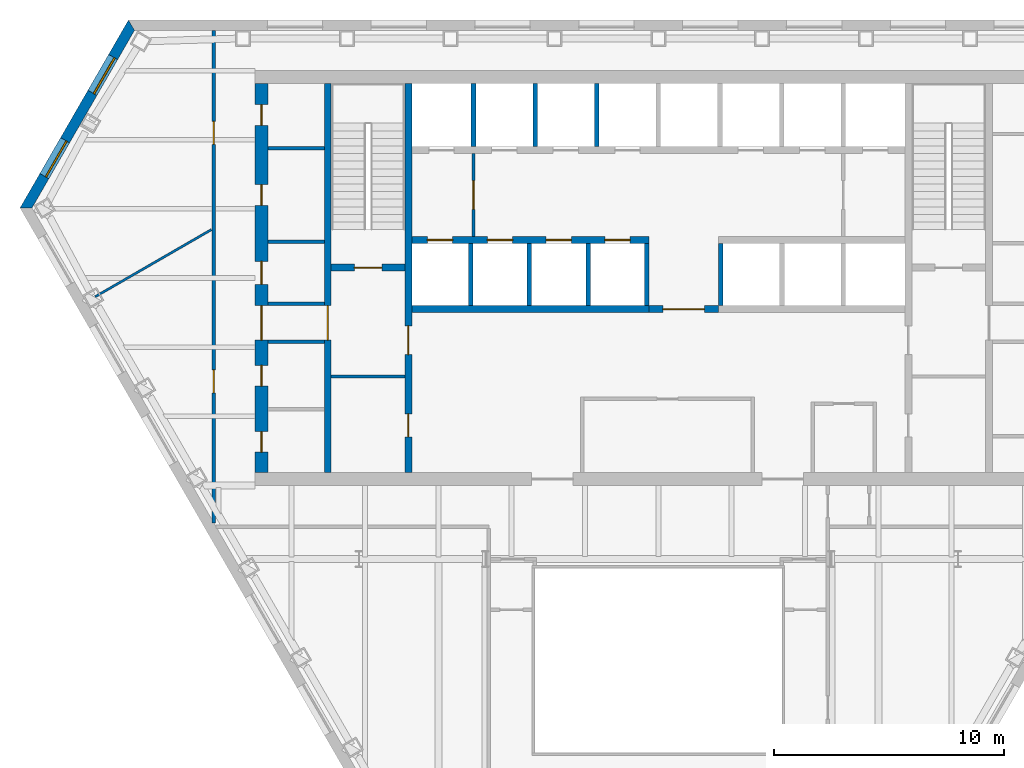
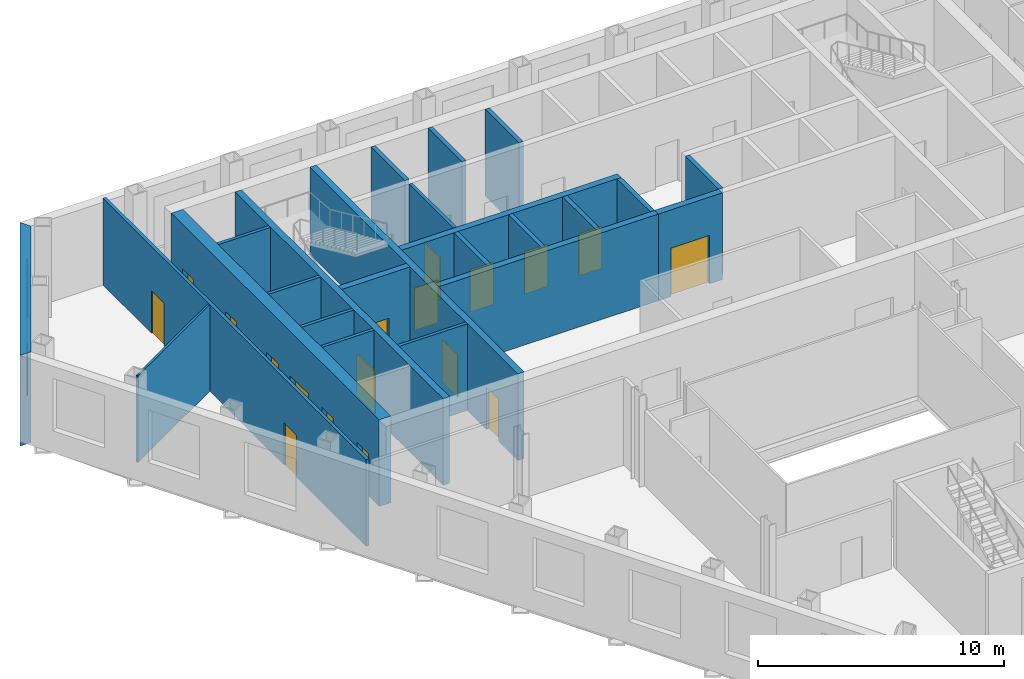
# One storey, part 6 of 11: 24 walls, 18 doors, 2 windows, 20 openings.
"""IFC4 building model written with IfcOpenShell, lengths in metres."""

from ifc_helpers import new_model, si_unit, direction, frame, frame_2d, origin, place, context, subcontext, project, spatial, polyline, rectangle, outline, extrude, material, layer, layer_set, type_object, element, fill, save


model = new_model("IFC4")

# Units and contexts
model_context = context("Model", 3, precision=1e-05, world=origin(), true_north=direction((0.0, 1.0)))
body_context = subcontext(model_context, "Body", "Model", "MODEL_VIEW")
ifc_project = project(units=[si_unit("LENGTHUNIT", "METRE"), si_unit("AREAUNIT", "SQUARE_METRE"), si_unit("VOLUMEUNIT", "CUBIC_METRE"), si_unit("PLANEANGLEUNIT", "RADIAN"), si_unit("MASSUNIT", "GRAM", prefix="KILO")], contexts=[model_context])

# Site, building, storey
site_placement = place(None, origin())
site = spatial("IfcSite", under=ifc_project, at=site_placement, CompositionType="ELEMENT")
building_placement = place(site_placement, origin())
building = spatial("IfcBuilding", under=site, at=building_placement, Name="Njiva Tower", CompositionType="ELEMENT")
storey_placement = place(building_placement, frame((0.0, 0.0, 124.8)))
storey = spatial("IfcBuildingStorey", under=building, at=storey_placement, Name="L26", CompositionType="ELEMENT", Elevation=124.8)

# Walls
ifc_material_1 = material(Name="Blockwork", Category="masonry")
ifc_layer_1 = layer(ifc_material_1, 0.15)
ifc_layer_set_1 = layer_set([ifc_layer_1], Name="Blockwork")
wall_type_1 = type_object("IfcWallType", Name="WT1 Compartment partition 150", PredefinedType="PARTITIONING", material=ifc_layer_set_1)
wall_1_placement = place(storey_placement, frame((-14.2, 4.725, 0.0), z_axis=(0.0, 0.0, 1.0), x_axis=(1.0, 0.0, 0.0)))
element("IfcWall", 1, at=wall_1_placement, inside=storey, type_object=wall_type_1, Name="Room wall A", PredefinedType="PARTITIONING", context=body_context, shape_type="SweptSolid", body=[
    extrude(rectangle(XDim=3.2, YDim=0.15, at=frame_2d((1.6, 0.0))), origin(), (0.0, 0.0, 1.0), 4.3),
])
wall_2_placement = place(storey_placement, frame((-16.95, 10.5697, 0.0), z_axis=(0.0, 0.0, 1.0), x_axis=(1.0, 0.0, 0.0)))
element("IfcWall", 2, at=wall_2_placement, inside=storey, type_object=wall_type_1, Name="Partition strip W10", PredefinedType="PARTITIONING", context=body_context, shape_type="SweptSolid", body=[
    extrude(rectangle(XDim=2.45, YDim=0.15, at=frame_2d((1.225, 0.0))), origin(), (0.0, 0.0, 1.0), 4.3),
])

# Wall, openings, doors
ifc_material_2 = material(Name="Concrete C40/50", Category="concrete")
ifc_layer_2 = layer(ifc_material_2, 0.3)
ifc_layer_set_2 = layer_set([ifc_layer_2], Name="Concrete C40/50")
wall_type_2 = type_object("IfcWallType", Name="WT10 Stair enclosure wall 300", PredefinedType="SHEAR", material=ifc_layer_set_2)
wall_3_placement = place(storey_placement, frame((-10.85, 0.55, 0.0), z_axis=(0.0, 0.0, 1.0), x_axis=(0.0, 1.0, 0.0)))
wall_3 = element("IfcWall", 3, at=wall_3_placement, inside=storey, type_object=wall_type_2, Name="Stair wall west inner", PredefinedType="SHEAR", context=body_context, shape_type="SweptSolid", body=[
    extrude(rectangle(XDim=16.9, YDim=0.3, at=frame_2d((8.45, 0.0))), origin(), (0.0, 0.0, 1.0), 4.3),
])
opening_1_placement = place(wall_3_placement, frame((5.125, 0.0, 0.0)))
opening_1 = element("IfcOpeningElement", 4, at=opening_1_placement, cuts=wall_3, Name="Opening S09-D914", PredefinedType="OPENING", context=body_context, shape_type="SweptSolid", body=[
    extrude(rectangle(XDim=1.25, YDim=2.1, at=frame_2d((0.625, 1.05))), frame((0.0, 0.16, 0.0), z_axis=(0.0, -1.0, 0.0), x_axis=(1.0, 0.0, 0.0)), (0.0, 0.0, 1.0), 0.32),
])
opening_2_placement = place(wall_3_placement, frame((1.55, 0.0, 0.0)))
opening_2 = element("IfcOpeningElement", 5, at=opening_2_placement, cuts=wall_3, Name="Opening S09-D915", PredefinedType="OPENING", context=body_context, shape_type="SweptSolid", body=[
    extrude(rectangle(XDim=1.0, YDim=2.1, at=frame_2d((0.5, 1.05))), frame((0.0, 0.16, 0.0), z_axis=(0.0, -1.0, 0.0), x_axis=(1.0, 0.0, 0.0)), (0.0, 0.0, 1.0), 0.32),
])
ifc_material_3 = material(Name="Steel door, painted", Category="steel")
door_type_1 = type_object("IfcDoorType", Name="D5 Steel door 1000x2100", OperationType="SINGLE_SWING_LEFT", PredefinedType="DOOR", material=ifc_material_3)
door_1_placement = place(opening_2_placement, origin())
door_1 = element("IfcDoor", 6, at=door_1_placement, inside=storey, type_object=door_type_1, Name="Breakout room door", OperationType="SINGLE_SWING_RIGHT", OverallHeight=2.1, OverallWidth=1.0, PredefinedType="DOOR", context=body_context, shape_type="SweptSolid", body=[
    extrude(rectangle(XDim=1.0, YDim=2.1, at=frame_2d((0.5, 1.05))), frame((0.0, 0.025, 0.0), z_axis=(0.0, -1.0, 0.0), x_axis=(1.0, 0.0, 0.0)), (0.0, 0.0, 1.0), 0.05),
])
fill(opening_2, door_1)
ifc_material_4 = material(Name="Glazed steel fire door", Category="steel")
door_type_2 = type_object("IfcDoorType", Name="D8 Vestibule corridor door 1250x2100 glazed", OperationType="SINGLE_SWING_LEFT", PredefinedType="DOOR", material=ifc_material_4)
door_2_placement = place(opening_1_placement, origin())
door_2 = element("IfcDoor", 7, at=door_2_placement, inside=storey, type_object=door_type_2, Name="Stair vestibule corridor door", OperationType="SINGLE_SWING_LEFT", OverallHeight=2.1, OverallWidth=1.25, PredefinedType="DOOR", context=body_context, shape_type="SweptSolid", body=[
    extrude(rectangle(XDim=1.25, YDim=2.1, at=frame_2d((0.625, 1.05))), frame((0.0, 0.025, 0.0), z_axis=(0.0, -1.0, 0.0), x_axis=(1.0, 0.0, 0.0)), (0.0, 0.0, 1.0), 0.05),
])
fill(opening_1, door_2)

# Wall, opening, door
wall_4_placement = place(storey_placement, frame((-14.35, 0.55, 0.0), z_axis=(0.0, 0.0, 1.0), x_axis=(0.0, 1.0, 0.0)))
wall_4 = element("IfcWall", 8, at=wall_4_placement, inside=storey, type_object=wall_type_2, Name="Stair wall west outer", PredefinedType="SHEAR", context=body_context, shape_type="SweptSolid", body=[
    extrude(rectangle(XDim=16.9, YDim=0.3, at=frame_2d((8.45, 0.0))), origin(), (0.0, 0.0, 1.0), 4.3),
])
opening_3_placement = place(wall_4_placement, frame((5.75, 0.0, 0.0)))
opening_3 = element("IfcOpeningElement", 9, at=opening_3_placement, cuts=wall_4, Name="Opening S09-D920", PredefinedType="OPENING", context=body_context, shape_type="SweptSolid", body=[
    extrude(rectangle(XDim=1.5, YDim=2.1, at=frame_2d((0.75, 1.05))), frame((0.0, 0.16, 0.0), z_axis=(0.0, -1.0, 0.0), x_axis=(1.0, 0.0, 0.0)), (0.0, 0.0, 1.0), 0.32),
])
door_type_3 = type_object("IfcDoorType", Name="D10 Exit door double 1500x2100 glazed", OperationType="DOUBLE_DOOR_SINGLE_SWING", PredefinedType="DOOR", material=ifc_material_4)
door_3_placement = place(opening_3_placement, origin())
door_3 = element("IfcDoor", 10, at=door_3_placement, inside=storey, type_object=door_type_3, Name="Stair A passage door", OperationType="DOUBLE_DOOR_SINGLE_SWING", OverallHeight=2.1, OverallWidth=1.5, PredefinedType="DOOR", context=body_context, shape_type="SweptSolid", body=[
    extrude(rectangle(XDim=1.5, YDim=2.1, at=frame_2d((0.75, 1.05))), frame((0.0, 0.025, 0.0), z_axis=(0.0, -1.0, 0.0), x_axis=(1.0, 0.0, 0.0)), (0.0, 0.0, 1.0), 0.05),
])
fill(opening_3, door_3)

wall_5_placement = place(storey_placement, frame((-14.2, 9.45, 0.0), z_axis=(0.0, 0.0, 1.0), x_axis=(1.0, 0.0, 0.0)))
wall_5 = element("IfcWall", 11, at=wall_5_placement, inside=storey, type_object=wall_type_2, Name="Stair A south wall", PredefinedType="SHEAR", context=body_context, shape_type="SweptSolid", body=[
    extrude(rectangle(XDim=3.2, YDim=0.3, at=frame_2d((1.6, 0.0))), origin(), (0.0, 0.0, 1.0), 4.3),
])
opening_4_placement = place(wall_5_placement, frame((1.0, 0.0, 0.0)))
opening_4 = element("IfcOpeningElement", 12, at=opening_4_placement, cuts=wall_5, Name="Opening S09-D913", PredefinedType="OPENING", context=body_context, shape_type="SweptSolid", body=[
    extrude(rectangle(XDim=1.2, YDim=2.1, at=frame_2d((0.6, 1.05))), frame((0.0, 0.16, 0.0), z_axis=(0.0, -1.0, 0.0), x_axis=(1.0, 0.0, 0.0)), (0.0, 0.0, 1.0), 0.32),
])
door_type_4 = type_object("IfcDoorType", Name="D7 Stair vestibule door 1200x2100 glazed", OperationType="SINGLE_SWING_LEFT", PredefinedType="DOOR", material=ifc_material_4)
door_4_placement = place(opening_4_placement, origin())
door_4 = element("IfcDoor", 13, at=door_4_placement, inside=storey, type_object=door_type_4, Name="Stair A door", OperationType="SINGLE_SWING_LEFT", OverallHeight=2.1, OverallWidth=1.2, PredefinedType="DOOR", context=body_context, shape_type="SweptSolid", body=[
    extrude(rectangle(XDim=1.2, YDim=2.1, at=frame_2d((0.6, 1.05))), frame((0.0, 0.025, 0.0), z_axis=(0.0, -1.0, 0.0), x_axis=(1.0, 0.0, 0.0)), (0.0, 0.0, 1.0), 0.05),
])
fill(opening_4, door_4)

# Wall, openings, doors
ifc_material_5 = material(Name="Concrete C60/75", Category="concrete")
ifc_layer_3 = layer(ifc_material_5, 0.55)
ifc_layer_set_3 = layer_set([ifc_layer_3], Name="Concrete C60/75")
wall_type_3 = type_object("IfcWallType", Name="WT14 Core wall 550", PredefinedType="SHEAR", material=ifc_layer_set_3)
wall_6_placement = place(storey_placement, frame((-17.225, 0.55, 0.0), z_axis=(0.0, 0.0, 1.0), x_axis=(0.0, 1.0, 0.0)))
wall_6 = element("IfcWall", 14, at=wall_6_placement, inside=storey, type_object=wall_type_3, Name="Core wall west", PredefinedType="SHEAR", context=body_context, shape_type="SweptSolid", body=[
    extrude(rectangle(XDim=16.9, YDim=0.55, at=frame_2d((8.45, 0.0))), origin(), (0.0, 0.0, 1.0), 4.3),
])
opening_5_placement = place(wall_6_placement, frame((5.75, 0.0, 0.0)))
opening_5 = element("IfcOpeningElement", 15, at=opening_5_placement, cuts=wall_6, Name="Opening S09-D921", PredefinedType="OPENING", context=body_context, shape_type="SweptSolid", body=[
    extrude(rectangle(XDim=1.5, YDim=2.1, at=frame_2d((0.75, 1.05))), frame((0.0, 0.285, 0.0), z_axis=(0.0, -1.0, 0.0), x_axis=(1.0, 0.0, 0.0)), (0.0, 0.0, 1.0), 0.57),
])
opening_6_placement = place(wall_6_placement, frame((0.8868, 0.0, 0.0)))
opening_6 = element("IfcOpeningElement", 16, at=opening_6_placement, cuts=wall_6, Name="Opening S09-D922", PredefinedType="OPENING", context=body_context, shape_type="SweptSolid", body=[
    extrude(rectangle(XDim=0.9, YDim=2.1, at=frame_2d((0.45, 1.05))), frame((0.0, 0.285, 0.0), z_axis=(0.0, -1.0, 0.0), x_axis=(1.0, 0.0, 0.0)), (0.0, 0.0, 1.0), 0.57),
])
opening_7_placement = place(wall_6_placement, frame((3.7618, 0.0, 0.0)))
opening_7 = element("IfcOpeningElement", 17, at=opening_7_placement, cuts=wall_6, Name="Opening S09-D923", PredefinedType="OPENING", context=body_context, shape_type="SweptSolid", body=[
    extrude(rectangle(XDim=0.9, YDim=2.1, at=frame_2d((0.45, 1.05))), frame((0.0, 0.285, 0.0), z_axis=(0.0, -1.0, 0.0), x_axis=(1.0, 0.0, 0.0)), (0.0, 0.0, 1.0), 0.57),
])
opening_8_placement = place(wall_6_placement, frame((8.1723, 0.0, 0.0)))
opening_8 = element("IfcOpeningElement", 18, at=opening_8_placement, cuts=wall_6, Name="Opening S09-D924", PredefinedType="OPENING", context=body_context, shape_type="SweptSolid", body=[
    extrude(rectangle(XDim=1.0, YDim=2.1, at=frame_2d((0.5, 1.05))), frame((0.0, 0.285, 0.0), z_axis=(0.0, -1.0, 0.0), x_axis=(1.0, 0.0, 0.0)), (0.0, 0.0, 1.0), 0.57),
])
opening_9_placement = place(wall_6_placement, frame((11.6021, 0.0, 0.0)))
opening_9 = element("IfcOpeningElement", 19, at=opening_9_placement, cuts=wall_6, Name="Opening S09-D925", PredefinedType="OPENING", context=body_context, shape_type="SweptSolid", body=[
    extrude(rectangle(XDim=0.9, YDim=2.1, at=frame_2d((0.45, 1.05))), frame((0.0, 0.285, 0.0), z_axis=(0.0, -1.0, 0.0), x_axis=(1.0, 0.0, 0.0)), (0.0, 0.0, 1.0), 0.57),
])
opening_10_placement = place(wall_6_placement, frame((15.0798, 0.0, 0.0)))
opening_10 = element("IfcOpeningElement", 20, at=opening_10_placement, cuts=wall_6, Name="Opening S09-D926", PredefinedType="OPENING", context=body_context, shape_type="SweptSolid", body=[
    extrude(rectangle(XDim=0.9, YDim=2.1, at=frame_2d((0.45, 1.05))), frame((0.0, 0.285, 0.0), z_axis=(0.0, -1.0, 0.0), x_axis=(1.0, 0.0, 0.0)), (0.0, 0.0, 1.0), 0.57),
])
door_5_placement = place(opening_5_placement, origin())
door_5 = element("IfcDoor", 21, at=door_5_placement, inside=storey, type_object=door_type_3, Name="Stair A corridor door", OperationType="DOUBLE_DOOR_SINGLE_SWING", OverallHeight=2.1, OverallWidth=1.5, PredefinedType="DOOR", context=body_context, shape_type="SweptSolid", body=[
    extrude(rectangle(XDim=1.5, YDim=2.1, at=frame_2d((0.75, 1.05))), frame((0.0, 0.025, 0.0), z_axis=(0.0, -1.0, 0.0), x_axis=(1.0, 0.0, 0.0)), (0.0, 0.0, 1.0), 0.05),
])
fill(opening_5, door_5)
door_type_5 = type_object("IfcDoorType", Name="D4 Riser door 900x2100", OperationType="SINGLE_SWING_LEFT", PredefinedType="DOOR", material=ifc_material_3)
door_6_placement = place(opening_10_placement, origin())
door_6 = element("IfcDoor", 22, at=door_6_placement, inside=storey, type_object=door_type_5, Name="Riser door", OperationType="SINGLE_SWING_LEFT", OverallHeight=2.1, OverallWidth=0.9, PredefinedType="DOOR", context=body_context, shape_type="SweptSolid", body=[
    extrude(rectangle(XDim=0.9, YDim=2.1, at=frame_2d((0.45, 1.05))), frame((0.0, 0.025, 0.0), z_axis=(0.0, -1.0, 0.0), x_axis=(1.0, 0.0, 0.0)), (0.0, 0.0, 1.0), 0.05),
])
fill(opening_10, door_6)
door_7_placement = place(opening_8_placement, origin())
door_7 = element("IfcDoor", 23, at=door_7_placement, inside=storey, type_object=door_type_1, Name="Telecoms room door", OperationType="SINGLE_SWING_RIGHT", OverallHeight=2.1, OverallWidth=1.0, PredefinedType="DOOR", context=body_context, shape_type="SweptSolid", body=[
    extrude(rectangle(XDim=1.0, YDim=2.1, at=frame_2d((0.5, 1.05))), frame((0.0, 0.025, 0.0), z_axis=(0.0, -1.0, 0.0), x_axis=(1.0, 0.0, 0.0)), (0.0, 0.0, 1.0), 0.05),
])
fill(opening_8, door_7)
ifc_material_6 = material(Name="Steel fire door, painted", Category="steel")
door_type_6 = type_object("IfcDoorType", Name="D6 Fire-rated door 900x2100", OperationType="SINGLE_SWING_LEFT", PredefinedType="DOOR", material=ifc_material_6)
door_8_placement = place(opening_6_placement, origin())
door_8 = element("IfcDoor", 24, at=door_8_placement, inside=storey, type_object=door_type_6, Name="Meeting room door", OperationType="SINGLE_SWING_LEFT", OverallHeight=2.1, OverallWidth=0.9, PredefinedType="DOOR", context=body_context, shape_type="SweptSolid", body=[
    extrude(rectangle(XDim=0.9, YDim=2.1, at=frame_2d((0.45, 1.05))), frame((0.0, 0.025, 0.0), z_axis=(0.0, -1.0, 0.0), x_axis=(1.0, 0.0, 0.0)), (0.0, 0.0, 1.0), 0.05),
])
fill(opening_6, door_8)
door_9_placement = place(opening_7_placement, origin())
door_9 = element("IfcDoor", 25, at=door_9_placement, inside=storey, type_object=door_type_6, Name="Breakout room door", OperationType="SINGLE_SWING_LEFT", OverallHeight=2.1, OverallWidth=0.9, PredefinedType="DOOR", context=body_context, shape_type="SweptSolid", body=[
    extrude(rectangle(XDim=0.9, YDim=2.1, at=frame_2d((0.45, 1.05))), frame((0.0, 0.025, 0.0), z_axis=(0.0, -1.0, 0.0), x_axis=(1.0, 0.0, 0.0)), (0.0, 0.0, 1.0), 0.05),
])
fill(opening_7, door_9)
door_10_placement = place(opening_9_placement, origin())
door_10 = element("IfcDoor", 26, at=door_10_placement, inside=storey, type_object=door_type_6, Name="Quiet room door", OperationType="SINGLE_SWING_RIGHT", OverallHeight=2.1, OverallWidth=0.9, PredefinedType="DOOR", context=body_context, shape_type="SweptSolid", body=[
    extrude(rectangle(XDim=0.9, YDim=2.1, at=frame_2d((0.45, 1.05))), frame((0.0, 0.025, 0.0), z_axis=(0.0, -1.0, 0.0), x_axis=(1.0, 0.0, 0.0)), (0.0, 0.0, 1.0), 0.05),
])
fill(opening_9, door_10)

# Wall, opening, door
ifc_layer_4 = layer(ifc_material_1, 0.15)
ifc_layer_set_4 = layer_set([ifc_layer_4], Name="Blockwork")
wall_type_4 = type_object("IfcWallType", Name="WT2 Lobby partition 150", PredefinedType="PARTITIONING", material=ifc_layer_set_4)
wall_7_placement = place(storey_placement, frame((-8.025, 10.8, 0.0), z_axis=(0.0, 0.0, 1.0), x_axis=(0.0, 1.0, 0.0)))
wall_7 = element("IfcWall", 27, at=wall_7_placement, inside=storey, type_object=wall_type_4, Name="Firefighting lobby wall A", PredefinedType="PARTITIONING", context=body_context, shape_type="SweptSolid", body=[
    extrude(rectangle(XDim=3.6, YDim=0.15, at=frame_2d((1.8, 0.0))), origin(), (0.0, 0.0, 1.0), 4.3),
])
opening_11_placement = place(wall_7_placement, frame((1.175, 0.0, 0.0)))
opening_11 = element("IfcOpeningElement", 28, at=opening_11_placement, cuts=wall_7, Name="Opening S09-D912", PredefinedType="OPENING", context=body_context, shape_type="SweptSolid", body=[
    extrude(rectangle(XDim=1.25, YDim=2.1, at=frame_2d((0.625, 1.05))), frame((0.0, 0.085, 0.0), z_axis=(0.0, -1.0, 0.0), x_axis=(1.0, 0.0, 0.0)), (0.0, 0.0, 1.0), 0.17),
])
door_11_placement = place(opening_11_placement, origin())
door_11 = element("IfcDoor", 29, at=door_11_placement, inside=storey, type_object=door_type_2, Name="Stair vestibule corridor door", OperationType="SINGLE_SWING_RIGHT", OverallHeight=2.1, OverallWidth=1.25, PredefinedType="DOOR", context=body_context, shape_type="SweptSolid", body=[
    extrude(rectangle(XDim=1.25, YDim=2.1, at=frame_2d((0.625, 1.05))), frame((0.0, 0.025, 0.0), z_axis=(0.0, -1.0, 0.0), x_axis=(1.0, 0.0, 0.0)), (0.0, 0.0, 1.0), 0.05),
])
fill(opening_11, door_11)

# Wall
ifc_material_7 = material(Name="Gypsum board on steel studs", Category="gypsum")
ifc_layer_5 = layer(ifc_material_7, 0.1)
ifc_layer_set_5 = layer_set([ifc_layer_5], Name="Gypsum board on steel studs")
wall_type_5 = type_object("IfcWallType", Name="WT20 Gypsum partition 100", PredefinedType="PARTITIONING", material=ifc_layer_set_5)
wall_8_placement = place(storey_placement, frame((-24.446, 8.189, 0.0), z_axis=(0.0, 0.0, 1.0), x_axis=(0.866122712398, 0.499831418649, 0.0)))
element("IfcWall", 30, at=wall_8_placement, inside=storey, type_object=wall_type_5, Name="Partition S09-P001", PredefinedType="PARTITIONING", context=body_context, shape_type="SweptSolid", body=[
    extrude(rectangle(XDim=5.826, YDim=0.1, at=frame_2d((2.913, 0.0))), origin(), (0.0, 0.0, 1.0), 4.3),
])

# Wall, openings, doors
ifc_layer_6 = layer(ifc_material_7, 0.15)
ifc_layer_set_6 = layer_set([ifc_layer_6], Name="Gypsum board on steel studs")
wall_type_6 = type_object("IfcWallType", Name="WT21 Compartment wall 150", PredefinedType="PARTITIONING", material=ifc_layer_set_6)
wall_9_placement = place(storey_placement, frame((-19.3, -1.624, 0.0), z_axis=(0.0, 0.0, 1.0), x_axis=(0.0, 1.0, 0.0)))
wall_9 = element("IfcWall", 31, at=wall_9_placement, inside=storey, type_object=wall_type_6, Name="Partition S09-P002", PredefinedType="PARTITIONING", context=body_context, shape_type="SweptSolid", body=[
    extrude(rectangle(XDim=21.371, YDim=0.15, at=frame_2d((10.6855, 0.0))), origin(), (0.0, 0.0, 1.0), 4.3),
])
opening_12_placement = place(wall_9_placement, frame((5.64, 0.0, 0.0)))
opening_12 = element("IfcOpeningElement", 32, at=opening_12_placement, cuts=wall_9, Name="Opening S09-D001", PredefinedType="OPENING", context=body_context, shape_type="SweptSolid", body=[
    extrude(rectangle(XDim=1.0, YDim=2.1, at=frame_2d((0.5, 1.05))), frame((0.0, 0.085, 0.0), z_axis=(0.0, -1.0, 0.0), x_axis=(1.0, 0.0, 0.0)), (0.0, 0.0, 1.0), 0.17),
])
opening_13_placement = place(wall_9_placement, frame((16.425, 0.0, 0.0)))
opening_13 = element("IfcOpeningElement", 33, at=opening_13_placement, cuts=wall_9, Name="Opening S09-D002", PredefinedType="OPENING", context=body_context, shape_type="SweptSolid", body=[
    extrude(rectangle(XDim=1.0, YDim=2.1, at=frame_2d((0.5, 1.05))), frame((0.0, 0.085, 0.0), z_axis=(0.0, -1.0, 0.0), x_axis=(1.0, 0.0, 0.0)), (0.0, 0.0, 1.0), 0.17),
])
ifc_material_8 = material(Name="Steel fire door set", Category="steel")
door_type_7 = type_object("IfcDoorType", Name="D37 Fire door 1000x2100", OperationType="SINGLE_SWING_LEFT", PredefinedType="DOOR", material=ifc_material_8)
door_12_placement = place(opening_12_placement, origin())
door_12 = element("IfcDoor", 34, at=door_12_placement, inside=storey, type_object=door_type_7, Name="Door S09-D001", OperationType="SINGLE_SWING_RIGHT", OverallHeight=2.1, OverallWidth=1.0, PredefinedType="DOOR", context=body_context, shape_type="SweptSolid", body=[
    extrude(rectangle(XDim=1.0, YDim=2.1, at=frame_2d((0.5, 1.05))), frame((0.0, 0.025, 0.0), z_axis=(0.0, -1.0, 0.0), x_axis=(1.0, 0.0, 0.0)), (0.0, 0.0, 1.0), 0.05),
])
fill(opening_12, door_12)
door_13_placement = place(opening_13_placement, origin())
door_13 = element("IfcDoor", 35, at=door_13_placement, inside=storey, type_object=door_type_7, Name="Door S09-D002", OperationType="SINGLE_SWING_LEFT", OverallHeight=2.1, OverallWidth=1.0, PredefinedType="DOOR", context=body_context, shape_type="SweptSolid", body=[
    extrude(rectangle(XDim=1.0, YDim=2.1, at=frame_2d((0.5, 1.05))), frame((0.0, 0.025, 0.0), z_axis=(0.0, -1.0, 0.0), x_axis=(1.0, 0.0, 0.0)), (0.0, 0.0, 1.0), 0.05),
])
fill(opening_13, door_13)

# Walls
ifc_layer_7 = layer(ifc_material_1, 0.15)
ifc_layer_set_7 = layer_set([ifc_layer_7], Name="Blockwork")
wall_type_7 = type_object("IfcWallType", Name="WT3 Riser partition 150", PredefinedType="PARTITIONING", material=ifc_layer_set_7)
wall_10_placement = place(storey_placement, frame((-16.95, 14.6346, 0.0), z_axis=(0.0, 0.0, 1.0), x_axis=(1.0, 0.0, 0.0)))
element("IfcWall", 36, at=wall_10_placement, inside=storey, type_object=wall_type_7, Name="Partition strip W11", PredefinedType="PARTITIONING", context=body_context, shape_type="SweptSolid", body=[
    extrude(rectangle(XDim=2.45, YDim=0.15, at=frame_2d((1.225, 0.0))), origin(), (0.0, 0.0, 1.0), 4.3),
])
ifc_layer_8 = layer(ifc_material_1, 0.15)
ifc_layer_set_8 = layer_set([ifc_layer_8], Name="Blockwork")
wall_type_8 = type_object("IfcWallType", Name="WT4 Stair partition 150", PredefinedType="PARTITIONING", material=ifc_layer_set_8)
for number, where, z_axis, x_axis, name in (
    (37, (-16.95, 6.225, 0.0), (0.0, 0.0, 1.0), (1.0, 0.0, 0.0), "Stair A exit passage wall south"),
    (38, (-16.95, 7.875, 0.0), (0.0, 0.0, 1.0), (1.0, 0.0, 0.0), "Stair A exit passage wall north"),
):
    element("IfcWall", number, at=place(storey_placement, frame(where, z_axis=z_axis, x_axis=x_axis)), inside=storey, type_object=wall_type_8, Name=name, PredefinedType="PARTITIONING", context=body_context, shape_type="SweptSolid", body=[
        extrude(rectangle(XDim=2.45, YDim=0.15, at=frame_2d((1.225, 0.0))), origin(), (0.0, 0.0, 1.0), 4.3),
    ])

# Wall, opening, door
ifc_layer_9 = layer(ifc_material_1, 0.3)
ifc_layer_set_9 = layer_set([ifc_layer_9], Name="Blockwork")
wall_type_9 = type_object("IfcWallType", Name="WT5 Lobby partition 300", PredefinedType="PARTITIONING", material=ifc_layer_set_9)
wall_11_placement = place(storey_placement, frame((-0.4, 7.65, 0.0), z_axis=(0.0, 0.0, 1.0), x_axis=(1.0, 0.0, 0.0)))
wall_11 = element("IfcWall", 39, at=wall_11_placement, inside=storey, type_object=wall_type_9, Name="Lift lobby screen wall", PredefinedType="PARTITIONING", context=body_context, shape_type="SweptSolid", body=[
    extrude(rectangle(XDim=3.0, YDim=0.3, at=frame_2d((1.5, 0.0))), origin(), (0.0, 0.0, 1.0), 4.3),
])
opening_14_placement = place(wall_11_placement, frame((0.6, 0.0, 0.0)))
opening_14 = element("IfcOpeningElement", 40, at=opening_14_placement, cuts=wall_11, Name="Opening S09-D936", PredefinedType="OPENING", context=body_context, shape_type="SweptSolid", body=[
    extrude(rectangle(XDim=1.8, YDim=2.4, at=frame_2d((0.9, 1.2))), frame((0.0, 0.16, 0.0), z_axis=(0.0, -1.0, 0.0), x_axis=(1.0, 0.0, 0.0)), (0.0, 0.0, 1.0), 0.32),
])
ifc_material_9 = material(Name="Steel and glass door", Category="steel")
door_type_8 = type_object("IfcDoorType", Name="D3 Core entrance door 1800x2400", OperationType="DOUBLE_DOOR_SINGLE_SWING", PredefinedType="DOOR", material=ifc_material_9)
door_14_placement = place(opening_14_placement, origin())
door_14 = element("IfcDoor", 41, at=door_14_placement, inside=storey, type_object=door_type_8, Name="Core entrance door", OperationType="DOUBLE_DOOR_SINGLE_SWING", OverallHeight=2.4, OverallWidth=1.8, PredefinedType="DOOR", context=body_context, shape_type="SweptSolid", body=[
    extrude(rectangle(XDim=1.8, YDim=2.4, at=frame_2d((0.9, 1.2))), frame((0.0, 0.025, 0.0), z_axis=(0.0, -1.0, 0.0), x_axis=(1.0, 0.0, 0.0)), (0.0, 0.0, 1.0), 0.05),
])
fill(opening_14, door_14)

# Walls
ifc_layer_10 = layer(ifc_material_2, 0.2)
ifc_layer_set_10 = layer_set([ifc_layer_10], Name="Concrete C40/50")
wall_type_10 = type_object("IfcWallType", Name="WT6 Lift shaft wall 200", PredefinedType="SHEAR", material=ifc_layer_set_10)
for number, where, z_axis, x_axis, name in (
    (42, (-8.025, 14.7, 0.0), (0.0, 0.0, 1.0), (0.0, 1.0, 0.0), "Shaft wall CN1"),
    (43, (-5.35, 14.7, 0.0), (0.0, 0.0, 1.0), (0.0, 1.0, 0.0), "Shaft wall CN2"),
    (44, (-2.675, 14.7, 0.0), (0.0, 0.0, 1.0), (0.0, 1.0, 0.0), "Shaft wall CN3"),
):
    element("IfcWall", number, at=place(storey_placement, frame(where, z_axis=z_axis, x_axis=x_axis)), inside=storey, type_object=wall_type_10, Name=name, PredefinedType="SHEAR", context=body_context, shape_type="SweptSolid", body=[
        extrude(rectangle(XDim=2.75, YDim=0.2, at=frame_2d((1.375, 0.0))), origin(), (0.0, 0.0, 1.0), 4.3),
    ])
for number, where, z_axis, x_axis, name in (
    (45, (-8.15, 7.8, 0.0), (0.0, 0.0, 1.0), (0.0, 1.0, 0.0), "Shaft wall CS1"),
    (46, (-5.6, 7.8, 0.0), (0.0, 0.0, 1.0), (0.0, 1.0, 0.0), "Shaft wall CS2"),
    (47, (-3.05, 7.8, 0.0), (0.0, 0.0, 1.0), (0.0, 1.0, 0.0), "Shaft wall CS3"),
    (48, (-0.5, 7.8, 0.0), (0.0, 0.0, 1.0), (0.0, 1.0, 0.0), "Shaft wall CS4"),
    (49, (2.7, 7.8, 0.0), (0.0, 0.0, 1.0), (0.0, 1.0, 0.0), "Shaft wall CS5"),
):
    element("IfcWall", number, at=place(storey_placement, frame(where, z_axis=z_axis, x_axis=x_axis)), inside=storey, type_object=wall_type_10, Name=name, PredefinedType="SHEAR", context=body_context, shape_type="SweptSolid", body=[
        extrude(rectangle(XDim=2.7, YDim=0.2, at=frame_2d((1.35, 0.0))), origin(), (0.0, 0.0, 1.0), 4.3),
    ])

# Wall, openings, doors
ifc_layer_11 = layer(ifc_material_2, 0.3)
ifc_layer_set_11 = layer_set([ifc_layer_11], Name="Concrete C40/50")
wall_type_11 = type_object("IfcWallType", Name="WT7 Lift shaft wall 300", PredefinedType="SHEAR", material=ifc_layer_set_11)
wall_12_placement = place(storey_placement, frame((-10.7, 10.65, 0.0), z_axis=(0.0, 0.0, 1.0), x_axis=(1.0, 0.0, 0.0)))
wall_12 = element("IfcWall", 50, at=wall_12_placement, inside=storey, type_object=wall_type_11, Name="Shaft wall south row lobby side W", PredefinedType="SHEAR", context=body_context, shape_type="SweptSolid", body=[
    extrude(rectangle(XDim=10.3, YDim=0.3, at=frame_2d((5.15, 0.0))), origin(), (0.0, 0.0, 1.0), 4.3),
])
opening_15_placement = place(wall_12_placement, frame((0.675, 0.0, 0.0)))
opening_15 = element("IfcOpeningElement", 51, at=opening_15_placement, cuts=wall_12, Name="Opening S09-D908", PredefinedType="OPENING", context=body_context, shape_type="SweptSolid", body=[
    extrude(rectangle(XDim=1.1, YDim=2.1, at=frame_2d((0.55, 1.05))), frame((0.0, 0.16, 0.0), z_axis=(0.0, -1.0, 0.0), x_axis=(1.0, 0.0, 0.0)), (0.0, 0.0, 1.0), 0.32),
])
opening_16_placement = place(wall_12_placement, frame((3.275, 0.0, 0.0)))
opening_16 = element("IfcOpeningElement", 52, at=opening_16_placement, cuts=wall_12, Name="Opening S09-D909", PredefinedType="OPENING", context=body_context, shape_type="SweptSolid", body=[
    extrude(rectangle(XDim=1.1, YDim=2.1, at=frame_2d((0.55, 1.05))), frame((0.0, 0.16, 0.0), z_axis=(0.0, -1.0, 0.0), x_axis=(1.0, 0.0, 0.0)), (0.0, 0.0, 1.0), 0.32),
])
opening_17_placement = place(wall_12_placement, frame((5.825, 0.0, 0.0)))
opening_17 = element("IfcOpeningElement", 53, at=opening_17_placement, cuts=wall_12, Name="Opening S09-D910", PredefinedType="OPENING", context=body_context, shape_type="SweptSolid", body=[
    extrude(rectangle(XDim=1.1, YDim=2.1, at=frame_2d((0.55, 1.05))), frame((0.0, 0.16, 0.0), z_axis=(0.0, -1.0, 0.0), x_axis=(1.0, 0.0, 0.0)), (0.0, 0.0, 1.0), 0.32),
])
opening_18_placement = place(wall_12_placement, frame((8.375, 0.0, 0.0)))
opening_18 = element("IfcOpeningElement", 54, at=opening_18_placement, cuts=wall_12, Name="Opening S09-D911", PredefinedType="OPENING", context=body_context, shape_type="SweptSolid", body=[
    extrude(rectangle(XDim=1.1, YDim=2.1, at=frame_2d((0.55, 1.05))), frame((0.0, 0.16, 0.0), z_axis=(0.0, -1.0, 0.0), x_axis=(1.0, 0.0, 0.0)), (0.0, 0.0, 1.0), 0.32),
])
ifc_material_10 = material(Name="Stainless steel sliding door", Category="steel")
door_type_9 = type_object("IfcDoorType", Name="LD Lift landing door 1100x2100", OperationType="SLIDING_TO_LEFT", PredefinedType="DOOR", material=ifc_material_10)
door_15_placement = place(opening_15_placement, origin())
door_15 = element("IfcDoor", 55, at=door_15_placement, inside=storey, type_object=door_type_9, Name="Lift landing door LB4", OperationType="SLIDING_TO_LEFT", OverallHeight=2.1, OverallWidth=1.1, PredefinedType="DOOR", context=body_context, shape_type="SweptSolid", body=[
    extrude(rectangle(XDim=1.1, YDim=2.1, at=frame_2d((0.55, 1.05))), frame((0.0, 0.025, 0.0), z_axis=(0.0, -1.0, 0.0), x_axis=(1.0, 0.0, 0.0)), (0.0, 0.0, 1.0), 0.05),
])
fill(opening_15, door_15)
door_16_placement = place(opening_16_placement, origin())
door_16 = element("IfcDoor", 56, at=door_16_placement, inside=storey, type_object=door_type_9, Name="Lift landing door LB5", OperationType="SLIDING_TO_LEFT", OverallHeight=2.1, OverallWidth=1.1, PredefinedType="DOOR", context=body_context, shape_type="SweptSolid", body=[
    extrude(rectangle(XDim=1.1, YDim=2.1, at=frame_2d((0.55, 1.05))), frame((0.0, 0.025, 0.0), z_axis=(0.0, -1.0, 0.0), x_axis=(1.0, 0.0, 0.0)), (0.0, 0.0, 1.0), 0.05),
])
fill(opening_16, door_16)
door_17_placement = place(opening_17_placement, origin())
door_17 = element("IfcDoor", 57, at=door_17_placement, inside=storey, type_object=door_type_9, Name="Lift landing door LB6", OperationType="SLIDING_TO_LEFT", OverallHeight=2.1, OverallWidth=1.1, PredefinedType="DOOR", context=body_context, shape_type="SweptSolid", body=[
    extrude(rectangle(XDim=1.1, YDim=2.1, at=frame_2d((0.55, 1.05))), frame((0.0, 0.025, 0.0), z_axis=(0.0, -1.0, 0.0), x_axis=(1.0, 0.0, 0.0)), (0.0, 0.0, 1.0), 0.05),
])
fill(opening_17, door_17)
door_18_placement = place(opening_18_placement, origin())
door_18 = element("IfcDoor", 58, at=door_18_placement, inside=storey, type_object=door_type_9, Name="Lift landing door LB7", OperationType="SLIDING_TO_LEFT", OverallHeight=2.1, OverallWidth=1.1, PredefinedType="DOOR", context=body_context, shape_type="SweptSolid", body=[
    extrude(rectangle(XDim=1.1, YDim=2.1, at=frame_2d((0.55, 1.05))), frame((0.0, 0.025, 0.0), z_axis=(0.0, -1.0, 0.0), x_axis=(1.0, 0.0, 0.0)), (0.0, 0.0, 1.0), 0.05),
])
fill(opening_18, door_18)

# Wall
wall_13_placement = place(storey_placement, frame((-10.7, 7.65, 0.0), z_axis=(0.0, 0.0, 1.0), x_axis=(1.0, 0.0, 0.0)))
element("IfcWall", 59, at=wall_13_placement, inside=storey, type_object=wall_type_11, Name="Shaft wall south row back W", PredefinedType="SHEAR", context=body_context, shape_type="SweptSolid", body=[
    extrude(rectangle(XDim=10.3, YDim=0.3, at=frame_2d((5.15, 0.0))), origin(), (0.0, 0.0, 1.0), 4.3),
])

# Wall, openings, windows
ifc_material_11 = material(Name="Brick masonry, buff", Category="masonry")
ifc_layer_12 = layer(ifc_material_11, 0.45)
ifc_layer_set_12 = layer_set([ifc_layer_12], Name="Brick masonry, buff")
wall_type_12 = type_object("IfcWallType", Name="WT94 Brick pier and spandrel wall 450, buff", PredefinedType="SOLIDWALL", material=ifc_layer_set_12)
wall_14_placement = place(storey_placement, frame((-22.8701, 19.975, -0.4), z_axis=(0.0, 0.0, 1.0), x_axis=(-0.499998388237, -0.866026334334, 0.0)))
wall_14 = element("IfcWall", 60, at=wall_14_placement, inside=storey, type_object=wall_type_12, Name="Facade wall NW", PredefinedType="SOLIDWALL", context=body_context, shape_type="SweptSolid", body=[
    extrude(outline(polyline([(-0.1299, -0.225), (9.2901, -0.225), (9.0303, 0.225), (0.1299, 0.225), (-0.1299, -0.225)])), origin(), (0.0, 0.0, 1.0), 4.5),
])
opening_19_placement = place(wall_14_placement, frame((1.5944, 0.0, 1.3)))
opening_19 = element("IfcOpeningElement", 61, at=opening_19_placement, cuts=wall_14, Name="Opening S09-W10", PredefinedType="OPENING", context=body_context, shape_type="SweptSolid", body=[
    extrude(rectangle(XDim=1.8, YDim=2.6, at=frame_2d((0.9, 1.3))), frame((0.0, 0.235, 0.0), z_axis=(0.0, -1.0, 0.0), x_axis=(1.0, 0.0, 0.0)), (0.0, 0.0, 1.0), 0.47),
])
opening_20_placement = place(wall_14_placement, frame((5.7657, 0.0, 1.3)))
opening_20 = element("IfcOpeningElement", 62, at=opening_20_placement, cuts=wall_14, Name="Opening S09-W11", PredefinedType="OPENING", context=body_context, shape_type="SweptSolid", body=[
    extrude(rectangle(XDim=1.8, YDim=2.6, at=frame_2d((0.9, 1.3))), frame((0.0, 0.235, 0.0), z_axis=(0.0, -1.0, 0.0), x_axis=(1.0, 0.0, 0.0)), (0.0, 0.0, 1.0), 0.47),
])
ifc_material_12 = material(Name="Clear glazing in aluminium frame", Category="aluminium")
window_type = type_object("IfcWindowType", Name="W96 Deep-set window 1800x2600", PartitioningType="SINGLE_PANEL", PredefinedType="WINDOW", material=ifc_material_12)
window_1_placement = place(opening_19_placement, origin())
window_1 = element("IfcWindow", 63, at=window_1_placement, inside=storey, type_object=window_type, Name="Window", OverallHeight=2.6, OverallWidth=1.8, PartitioningType="SINGLE_PANEL", PredefinedType="WINDOW", context=body_context, shape_type="SweptSolid", body=[
    extrude(rectangle(XDim=1.8, YDim=2.6, at=frame_2d((0.9, 1.3))), frame((0.0, 0.105, 0.0), z_axis=(0.0, -1.0, 0.0), x_axis=(1.0, 0.0, 0.0)), (0.0, 0.0, 1.0), 0.06),
])
fill(opening_19, window_1)
window_2_placement = place(opening_20_placement, origin())
window_2 = element("IfcWindow", 64, at=window_2_placement, inside=storey, type_object=window_type, Name="Window", OverallHeight=2.6, OverallWidth=1.8, PartitioningType="SINGLE_PANEL", PredefinedType="WINDOW", context=body_context, shape_type="SweptSolid", body=[
    extrude(rectangle(XDim=1.8, YDim=2.6, at=frame_2d((0.9, 1.3))), frame((0.0, 0.105, 0.0), z_axis=(0.0, -1.0, 0.0), x_axis=(1.0, 0.0, 0.0)), (0.0, 0.0, 1.0), 0.06),
])
fill(opening_20, window_2)

save(model, "model.ifc")
